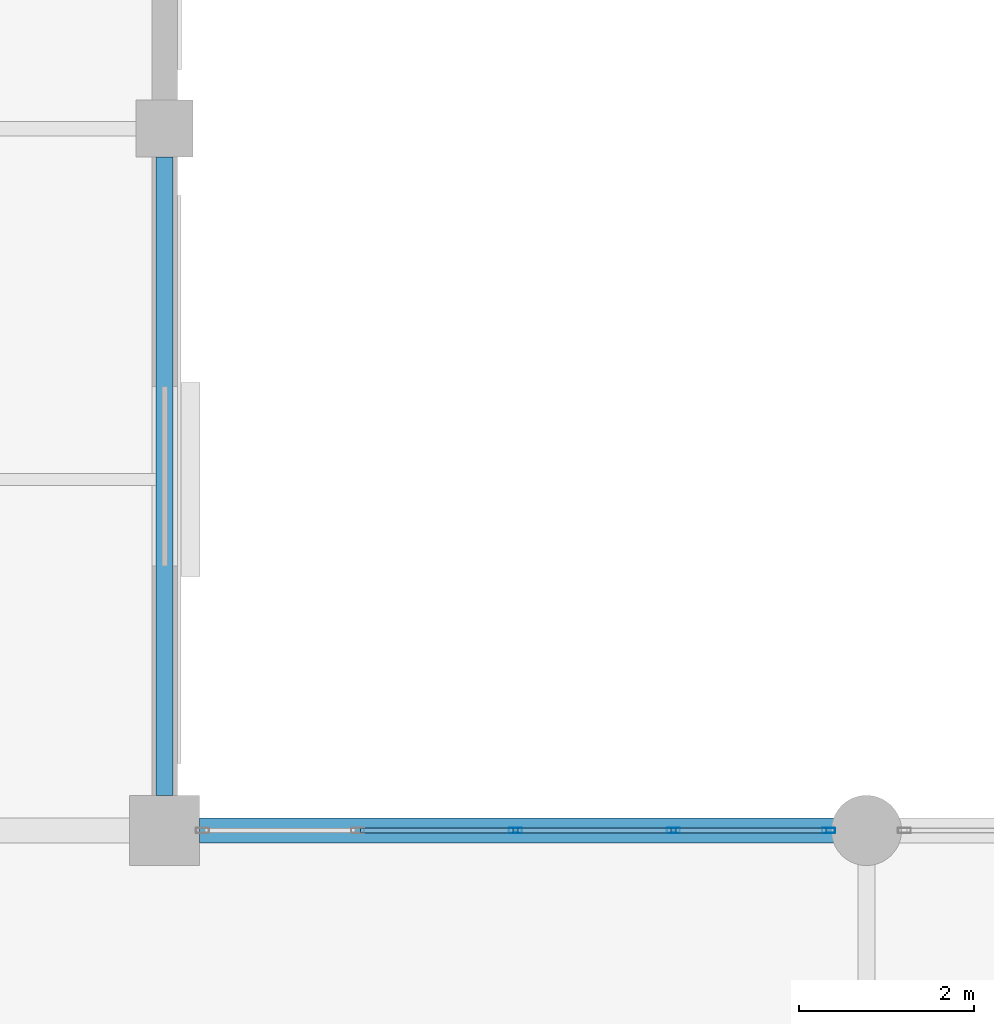
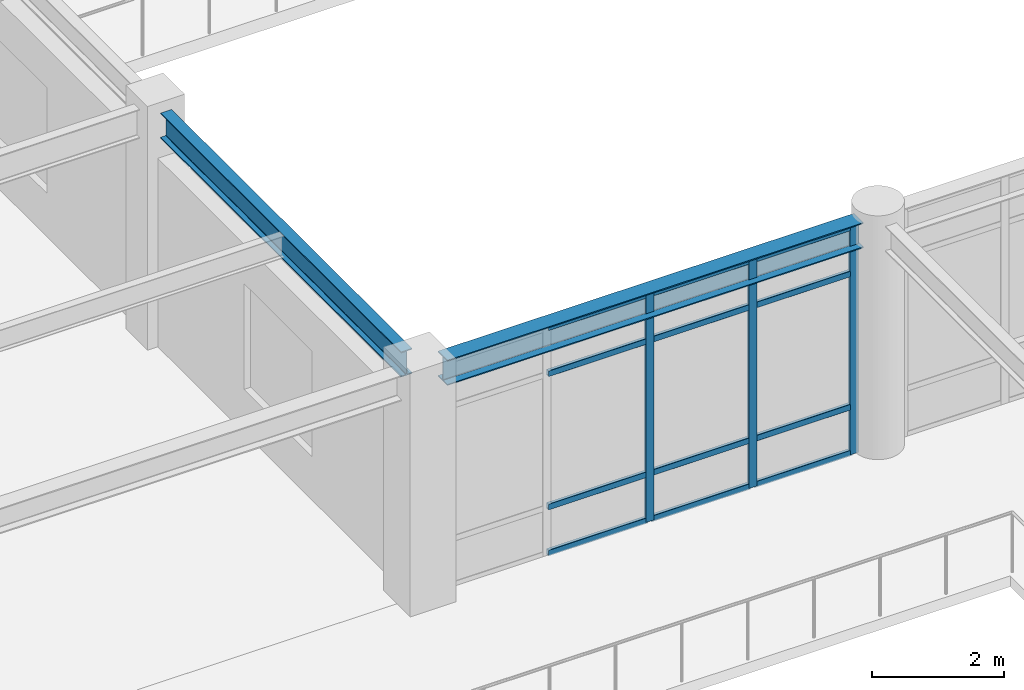
# One storey, part 38 of 75: 15 members, 2 beams, 1 element without a shape of its own.
"""IFC4 building model written with IfcOpenShell, lengths in metres."""

from ifc_helpers import new_model, si_unit, direction, frame, origin, origin_2d, place, context, subcontext, project, spatial, hollow_rectangle, i_section, extrude, material, material_profile, profile_set, type_object, element, aggregate, save


model = new_model("IFC4")

# Units and contexts
model_context = context("Model", 3, precision=1e-05, world=origin(), true_north=direction((0.0, 1.0)))
body_context = subcontext(model_context, "Body", "Model", "MODEL_VIEW")
ifc_project = project(units=[si_unit("LENGTHUNIT", "METRE"), si_unit("AREAUNIT", "SQUARE_METRE"), si_unit("VOLUMEUNIT", "CUBIC_METRE"), si_unit("PLANEANGLEUNIT", "RADIAN"), si_unit("MASSUNIT", "GRAM", prefix="KILO")], contexts=[model_context])

# Site, building, storey
site_placement = place(None, origin())
site = spatial("IfcSite", under=ifc_project, at=site_placement, CompositionType="ELEMENT")
building_placement = place(site_placement, origin())
building = spatial("IfcBuilding", under=site, at=building_placement, Name="Solmirada Galleria", CompositionType="ELEMENT")
storey_placement = place(building_placement, frame((0.0, 0.0, 19.39990234375)))
storey = spatial("IfcBuildingStorey", under=building, at=storey_placement, Name="L04", CompositionType="ELEMENT", Elevation=19.39990234375)

# Beams
ifc_material_1 = material(Name="Steel S355 / ASTM A992 Grade 50", Category="steel")
ifc_material_profile_1 = material_profile(ifc_material_1, i_section(OverallWidth=0.281982421875, OverallDepth=0.467041015625, WebThickness=0.01220703125, FlangeThickness=0.01953125, FilletRadius=0.013916015625, at=origin_2d()), Name="W18X86")
ifc_profile_set_1 = profile_set([ifc_material_profile_1], Name="Steel S355 / ASTM A992 Grade 50")
beam_type_1 = type_object("IfcBeamType", Name="BM-GIRD-W18A", PredefinedType="BEAM", material=ifc_profile_set_1)
beam_1_placement = place(storey_placement, frame((96.39990234375, 72.0, 4.066650390625), z_axis=(1.0, 0.0, 0.0), x_axis=(0.0, 1.0, 0.0)))
element("IfcBeam", 1, at=beam_1_placement, inside=storey, type_object=beam_type_1, Name="Primary beam L05 X(96..104, 72)", PredefinedType="BEAM", context=body_context, shape_type="SweptSolid", body=[
    extrude(i_section(OverallWidth=0.281982421875, OverallDepth=0.467041015625, WebThickness=0.01220703125, FlangeThickness=0.01953125, FilletRadius=0.013916015625, at=origin_2d()), origin(), (0.0, 0.0, 1.0), 7.26416015625),
])
ifc_material_profile_2 = material_profile(ifc_material_1, i_section(OverallWidth=0.193115234375, OverallDepth=0.466064453125, WebThickness=0.011474609375, FlangeThickness=0.01904296875, FilletRadius=0.013916015625, at=origin_2d()), Name="W18X65")
ifc_profile_set_2 = profile_set([ifc_material_profile_2], Name="Steel S355 / ASTM A992 Grade 50")
beam_type_2 = type_object("IfcBeamType", Name="BM-GIRD-W18C", PredefinedType="BEAM", material=ifc_profile_set_2)
beam_2_placement = place(storey_placement, frame((96.0, 72.39990234375, 4.067138671875), z_axis=(0.0, 1.0, 0.0), x_axis=(-1.0, 0.0, 0.0)))
element("IfcBeam", 2, at=beam_2_placement, inside=storey, type_object=beam_type_2, Name="Primary girder L05 Y(96, 72..80)", PredefinedType="BEAM", context=body_context, shape_type="SweptSolid", body=[
    extrude(i_section(OverallWidth=0.193115234375, OverallDepth=0.466064453125, WebThickness=0.011474609375, FlangeThickness=0.01904296875, FilletRadius=0.013916015625, at=origin_2d()), origin(), (0.0, 0.0, 1.0), 7.275146484375),
])

# Curtain wall, members
ifc_material_2 = material(Name="Impact-resistant low-E double glazing", Category="glass")
curtain_wall_type = type_object("IfcCurtainWallType", Name="CW-FZ3-L04-B4-L072", PredefinedType="NOTDEFINED", material=ifc_material_2)
curtain_wall_placement = place(storey_placement, origin())
curtain_wall = element("IfcCurtainWall", 3, at=curtain_wall_placement, inside=storey, type_object=curtain_wall_type, Name="Terrace and arcade storefront CW-L04-152", PredefinedType="NOTDEFINED")
ifc_material_3 = material(Name="Anodised aluminium framing", Category="aluminium")
ifc_material_profile_3 = material_profile(ifc_material_3, hollow_rectangle(XDim=0.06005859375, YDim=0.14990234375, WallThickness=0.00341796875, InnerFilletRadius=0.00341796875, OuterFilletRadius=0.007080078125, at=origin_2d()), Name="ALU-MULL-150X60")
ifc_profile_set_3 = profile_set([ifc_material_profile_3], Name="Anodised aluminium framing")
member_type_1 = type_object("IfcMemberType", Name="CW-MULL-150", PredefinedType="MULLION", material=ifc_profile_set_3)
member_1_placement = place(storey_placement, frame((100.0, 72.0, 0.0), z_axis=(0.0, 0.0, 1.0), x_axis=(0.0, 1.0, 0.0)))
member_1 = element("IfcMember", 4, at=member_1_placement, type_object=member_type_1, Name="CW30 mullion 3", PredefinedType="MULLION", context=body_context, shape_type="SweptSolid", body=[
    extrude(hollow_rectangle(XDim=0.06005859375, YDim=0.14990234375, WallThickness=0.00341796875, InnerFilletRadius=0.00341796875, OuterFilletRadius=0.007080078125, at=origin_2d()), origin(), (0.0, 0.0, 1.0), 4.22021484375),
])
member_2_placement = place(storey_placement, frame((101.799072265625, 72.0, 0.0), z_axis=(0.0, 0.0, 1.0), x_axis=(0.0, 1.0, 0.0)))
member_2 = element("IfcMember", 5, at=member_2_placement, type_object=member_type_1, Name="CW30 mullion 4", PredefinedType="MULLION", context=body_context, shape_type="SweptSolid", body=[
    extrude(hollow_rectangle(XDim=0.06005859375, YDim=0.14990234375, WallThickness=0.00341796875, InnerFilletRadius=0.00341796875, OuterFilletRadius=0.007080078125, at=origin_2d()), origin(), (0.0, 0.0, 1.0), 4.22021484375),
])
member_3_placement = place(storey_placement, frame((103.568115234375, 72.0, 0.0), z_axis=(0.0, 0.0, 1.0), x_axis=(0.0, 1.0, 0.0)))
member_3 = element("IfcMember", 6, at=member_3_placement, type_object=member_type_1, Name="CW30 mullion 5", PredefinedType="MULLION", context=body_context, shape_type="SweptSolid", body=[
    extrude(hollow_rectangle(XDim=0.06005859375, YDim=0.14990234375, WallThickness=0.00341796875, InnerFilletRadius=0.00341796875, OuterFilletRadius=0.007080078125, at=origin_2d()), origin(), (0.0, 0.0, 1.0), 4.22021484375),
])
ifc_material_profile_4 = material_profile(ifc_material_3, hollow_rectangle(XDim=0.06005859375, YDim=0.110107421875, WallThickness=0.003173828125, InnerFilletRadius=0.003173828125, OuterFilletRadius=0.00634765625, at=origin_2d()), Name="ALU-TRAN-110X60")
ifc_profile_set_4 = profile_set([ifc_material_profile_4], Name="Anodised aluminium framing")
member_type_2 = type_object("IfcMemberType", Name="CW-TRAN-110", PredefinedType="USERDEFINED", material=ifc_profile_set_4)
member_4_placement = place(storey_placement, frame((98.23095703125, 72.0, 0.030029296875), z_axis=(1.0, 0.0, 0.0), x_axis=(0.0, 1.0, 0.0)))
member_4 = element("IfcMember", 7, at=member_4_placement, type_object=member_type_2, Name="CW30 transom 2.1", ObjectType="TRANSOM", PredefinedType="USERDEFINED", context=body_context, shape_type="SweptSolid", body=[
    extrude(hollow_rectangle(XDim=0.06005859375, YDim=0.110107421875, WallThickness=0.003173828125, InnerFilletRadius=0.003173828125, OuterFilletRadius=0.00634765625, at=origin_2d()), origin(), (0.0, 0.0, 1.0), 1.739013671875),
])
member_5_placement = place(storey_placement, frame((98.23095703125, 72.0, 0.880126953125), z_axis=(1.0, 0.0, 0.0), x_axis=(0.0, 1.0, 0.0)))
member_5 = element("IfcMember", 8, at=member_5_placement, type_object=member_type_2, Name="CW30 transom 2.2", ObjectType="TRANSOM", PredefinedType="USERDEFINED", context=body_context, shape_type="SweptSolid", body=[
    extrude(hollow_rectangle(XDim=0.06005859375, YDim=0.110107421875, WallThickness=0.003173828125, InnerFilletRadius=0.003173828125, OuterFilletRadius=0.00634765625, at=origin_2d()), origin(), (0.0, 0.0, 1.0), 1.739013671875),
])
member_6_placement = place(storey_placement, frame((98.23095703125, 72.0, 3.340087890625), z_axis=(1.0, 0.0, 0.0), x_axis=(0.0, 1.0, 0.0)))
member_6 = element("IfcMember", 9, at=member_6_placement, type_object=member_type_2, Name="CW30 transom 2.3", ObjectType="TRANSOM", PredefinedType="USERDEFINED", context=body_context, shape_type="SweptSolid", body=[
    extrude(hollow_rectangle(XDim=0.06005859375, YDim=0.110107421875, WallThickness=0.003173828125, InnerFilletRadius=0.003173828125, OuterFilletRadius=0.00634765625, at=origin_2d()), origin(), (0.0, 0.0, 1.0), 1.739013671875),
])
member_7_placement = place(storey_placement, frame((98.23095703125, 72.0, 4.190185546875), z_axis=(1.0, 0.0, 0.0), x_axis=(0.0, 1.0, 0.0)))
member_7 = element("IfcMember", 10, at=member_7_placement, type_object=member_type_2, Name="CW30 transom 2.4", ObjectType="TRANSOM", PredefinedType="USERDEFINED", context=body_context, shape_type="SweptSolid", body=[
    extrude(hollow_rectangle(XDim=0.06005859375, YDim=0.110107421875, WallThickness=0.003173828125, InnerFilletRadius=0.003173828125, OuterFilletRadius=0.00634765625, at=origin_2d()), origin(), (0.0, 0.0, 1.0), 1.739013671875),
])
member_8_placement = place(storey_placement, frame((100.030029296875, 72.0, 0.030029296875), z_axis=(1.0, 0.0, 0.0), x_axis=(0.0, 1.0, 0.0)))
member_8 = element("IfcMember", 11, at=member_8_placement, type_object=member_type_2, Name="CW30 transom 3.1", ObjectType="TRANSOM", PredefinedType="USERDEFINED", context=body_context, shape_type="SweptSolid", body=[
    extrude(hollow_rectangle(XDim=0.06005859375, YDim=0.110107421875, WallThickness=0.003173828125, InnerFilletRadius=0.003173828125, OuterFilletRadius=0.00634765625, at=origin_2d()), origin(), (0.0, 0.0, 1.0), 1.739013671875),
])
member_9_placement = place(storey_placement, frame((100.030029296875, 72.0, 0.880126953125), z_axis=(1.0, 0.0, 0.0), x_axis=(0.0, 1.0, 0.0)))
member_9 = element("IfcMember", 12, at=member_9_placement, type_object=member_type_2, Name="CW30 transom 3.2", ObjectType="TRANSOM", PredefinedType="USERDEFINED", context=body_context, shape_type="SweptSolid", body=[
    extrude(hollow_rectangle(XDim=0.06005859375, YDim=0.110107421875, WallThickness=0.003173828125, InnerFilletRadius=0.003173828125, OuterFilletRadius=0.00634765625, at=origin_2d()), origin(), (0.0, 0.0, 1.0), 1.739013671875),
])
member_10_placement = place(storey_placement, frame((100.030029296875, 72.0, 3.340087890625), z_axis=(1.0, 0.0, 0.0), x_axis=(0.0, 1.0, 0.0)))
member_10 = element("IfcMember", 13, at=member_10_placement, type_object=member_type_2, Name="CW30 transom 3.3", ObjectType="TRANSOM", PredefinedType="USERDEFINED", context=body_context, shape_type="SweptSolid", body=[
    extrude(hollow_rectangle(XDim=0.06005859375, YDim=0.110107421875, WallThickness=0.003173828125, InnerFilletRadius=0.003173828125, OuterFilletRadius=0.00634765625, at=origin_2d()), origin(), (0.0, 0.0, 1.0), 1.739013671875),
])
member_11_placement = place(storey_placement, frame((100.030029296875, 72.0, 4.190185546875), z_axis=(1.0, 0.0, 0.0), x_axis=(0.0, 1.0, 0.0)))
member_11 = element("IfcMember", 14, at=member_11_placement, type_object=member_type_2, Name="CW30 transom 3.4", ObjectType="TRANSOM", PredefinedType="USERDEFINED", context=body_context, shape_type="SweptSolid", body=[
    extrude(hollow_rectangle(XDim=0.06005859375, YDim=0.110107421875, WallThickness=0.003173828125, InnerFilletRadius=0.003173828125, OuterFilletRadius=0.00634765625, at=origin_2d()), origin(), (0.0, 0.0, 1.0), 1.739013671875),
])
member_12_placement = place(storey_placement, frame((101.8291015625, 72.0, 0.030029296875), z_axis=(1.0, 0.0, 0.0), x_axis=(0.0, 1.0, 0.0)))
member_12 = element("IfcMember", 15, at=member_12_placement, type_object=member_type_2, Name="CW30 transom 4.1", ObjectType="TRANSOM", PredefinedType="USERDEFINED", context=body_context, shape_type="SweptSolid", body=[
    extrude(hollow_rectangle(XDim=0.06005859375, YDim=0.110107421875, WallThickness=0.003173828125, InnerFilletRadius=0.003173828125, OuterFilletRadius=0.00634765625, at=origin_2d()), origin(), (0.0, 0.0, 1.0), 1.708984375),
])
member_13_placement = place(storey_placement, frame((101.8291015625, 72.0, 0.880126953125), z_axis=(1.0, 0.0, 0.0), x_axis=(0.0, 1.0, 0.0)))
member_13 = element("IfcMember", 16, at=member_13_placement, type_object=member_type_2, Name="CW30 transom 4.2", ObjectType="TRANSOM", PredefinedType="USERDEFINED", context=body_context, shape_type="SweptSolid", body=[
    extrude(hollow_rectangle(XDim=0.06005859375, YDim=0.110107421875, WallThickness=0.003173828125, InnerFilletRadius=0.003173828125, OuterFilletRadius=0.00634765625, at=origin_2d()), origin(), (0.0, 0.0, 1.0), 1.708984375),
])
member_14_placement = place(storey_placement, frame((101.8291015625, 72.0, 3.340087890625), z_axis=(1.0, 0.0, 0.0), x_axis=(0.0, 1.0, 0.0)))
member_14 = element("IfcMember", 17, at=member_14_placement, type_object=member_type_2, Name="CW30 transom 4.3", ObjectType="TRANSOM", PredefinedType="USERDEFINED", context=body_context, shape_type="SweptSolid", body=[
    extrude(hollow_rectangle(XDim=0.06005859375, YDim=0.110107421875, WallThickness=0.003173828125, InnerFilletRadius=0.003173828125, OuterFilletRadius=0.00634765625, at=origin_2d()), origin(), (0.0, 0.0, 1.0), 1.708984375),
])
member_15_placement = place(storey_placement, frame((101.8291015625, 72.0, 4.190185546875), z_axis=(1.0, 0.0, 0.0), x_axis=(0.0, 1.0, 0.0)))
member_15 = element("IfcMember", 18, at=member_15_placement, type_object=member_type_2, Name="CW30 transom 4.4", ObjectType="TRANSOM", PredefinedType="USERDEFINED", context=body_context, shape_type="SweptSolid", body=[
    extrude(hollow_rectangle(XDim=0.06005859375, YDim=0.110107421875, WallThickness=0.003173828125, InnerFilletRadius=0.003173828125, OuterFilletRadius=0.00634765625, at=origin_2d()), origin(), (0.0, 0.0, 1.0), 1.708984375),
])
aggregate(curtain_wall, [member_1, member_2, member_3, member_4, member_5, member_6, member_7, member_8, member_9, member_10, member_11, member_12, member_13, member_14, member_15])

save(model, "model.ifc")
